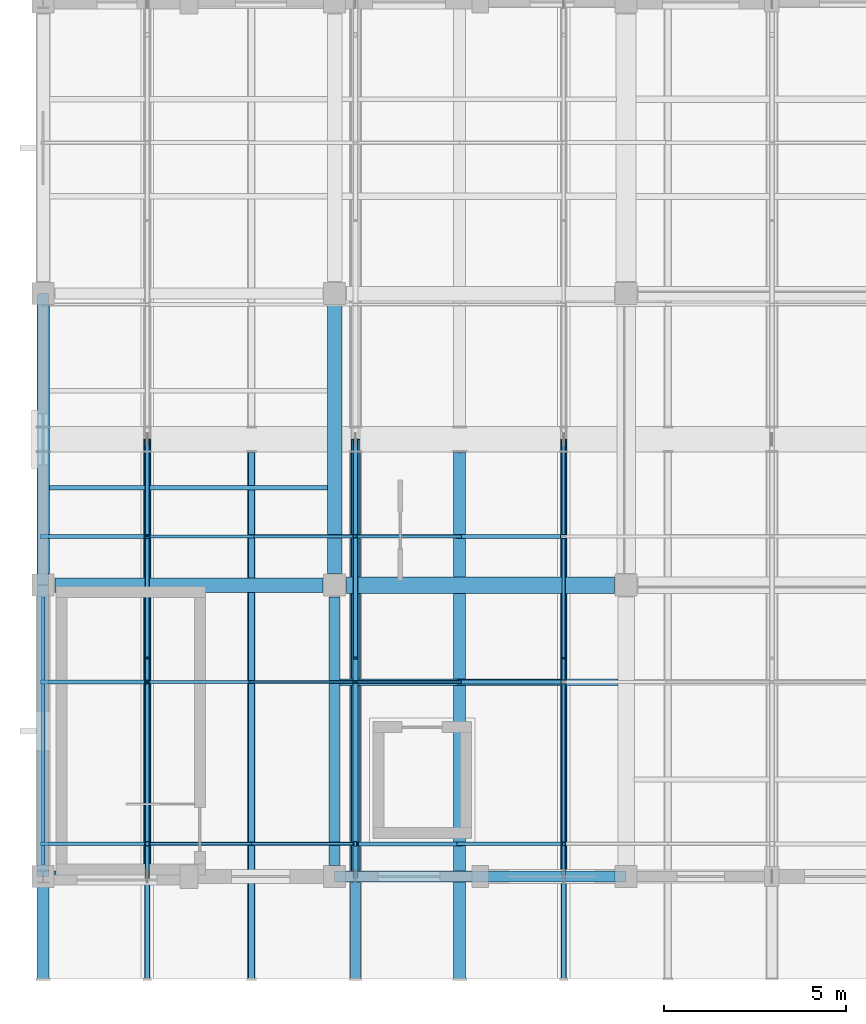
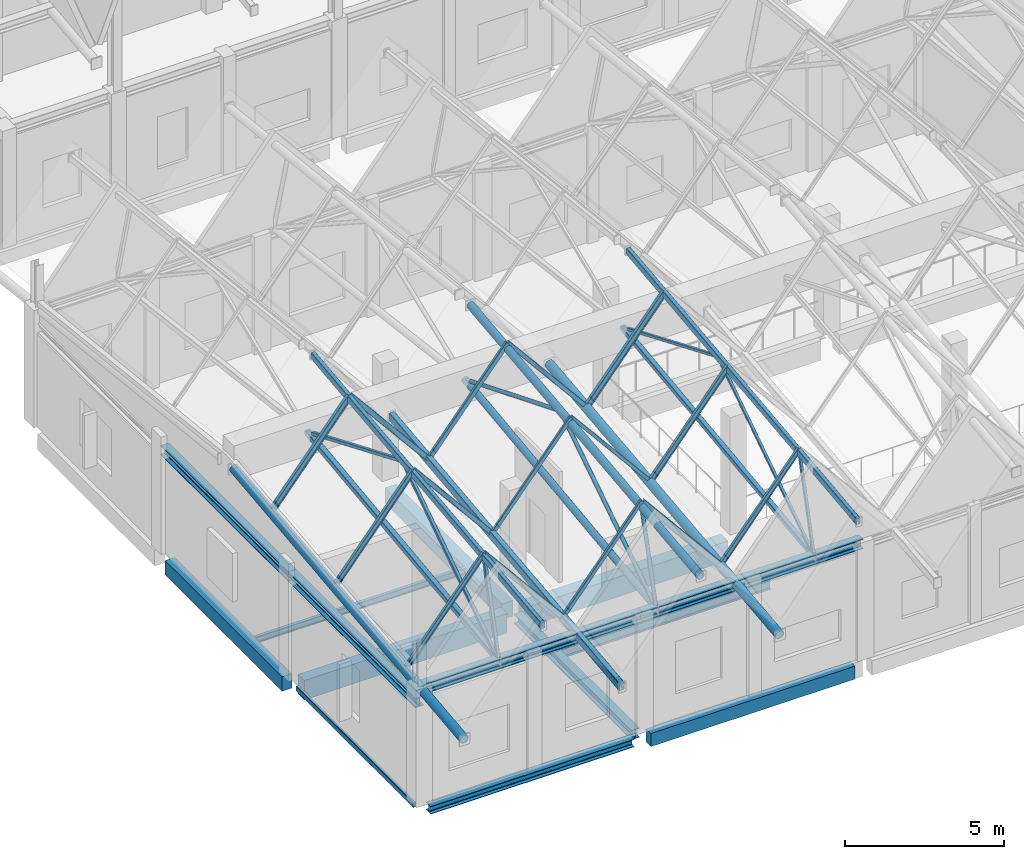
# One storey, part 9 of 77: 27 members, 20 beams.
"""IFC4 building model written with IfcOpenShell, lengths in metres."""

from ifc_helpers import new_model, si_unit, direction, frame, origin, origin_2d, place, context, subcontext, project, spatial, rectangle, hollow_rectangle, hollow_circle, i_section, extrude, material, material_profile, profile_set, type_object, element, save


model = new_model("IFC4")

# Units and contexts
model_context = context("Model", 3, precision=1e-05, world=origin(), true_north=direction((0.0, 1.0)))
body_context = subcontext(model_context, "Body", "Model", "MODEL_VIEW")
ifc_project = project(units=[si_unit("LENGTHUNIT", "METRE"), si_unit("AREAUNIT", "SQUARE_METRE"), si_unit("VOLUMEUNIT", "CUBIC_METRE"), si_unit("PLANEANGLEUNIT", "RADIAN"), si_unit("MASSUNIT", "GRAM", prefix="KILO")], contexts=[model_context])

# Site, building, storey
site_placement = place(None, origin())
site = spatial("IfcSite", under=ifc_project, at=site_placement, CompositionType="ELEMENT")
building_placement = place(site_placement, origin())
building = spatial("IfcBuilding", under=site, at=building_placement, Name="Luwemba Playhouse", CompositionType="ELEMENT")
storey_placement = place(building_placement, frame((0.0, 0.0, 9.300048828125)))
storey = spatial("IfcBuildingStorey", under=building, at=storey_placement, Name="L02", CompositionType="ELEMENT", Elevation=9.300048828125)

# Beams
ifc_material_1 = material(Name="Concrete C40/50", Category="concrete")
ifc_material_profile_1 = material_profile(ifc_material_1, rectangle(XDim=0.39990234375, YDim=0.60009765625, at=origin_2d()))
ifc_profile_set_1 = profile_set([ifc_material_profile_1], Name="Concrete C40/50")
beam_type_1 = type_object("IfcBeamType", Name="BM-RB01", PredefinedType="BEAM", material=ifc_profile_set_1)
beam_1_placement = place(storey_placement, frame((12.0, 11.324951171875, -0.550048828125), z_axis=(0.0, 1.0, 0.0), x_axis=(-1.0, 0.0, 0.0)))
element("IfcBeam", 1, at=beam_1_placement, inside=storey, type_object=beam_type_1, Name="L02 transverse girder 0783", PredefinedType="BEAM", context=body_context, shape_type="SweptSolid", body=[
    extrude(rectangle(XDim=0.39990234375, YDim=0.60009765625, at=origin_2d()), origin(), (0.0, 0.0, 1.0), 7.35009765625),
])
ifc_material_profile_2 = material_profile(ifc_material_1, rectangle(XDim=0.39990234375, YDim=0.75, at=origin_2d()))
ifc_profile_set_2 = profile_set([ifc_material_profile_2], Name="Concrete C40/50")
beam_type_2 = type_object("IfcBeamType", Name="BM-RB03", PredefinedType="BEAM", material=ifc_profile_set_2)
beam_2_placement = place(storey_placement, frame((4.324951171875, 11.0, -0.625), z_axis=(1.0, 0.0, 0.0), x_axis=(0.0, 1.0, 0.0)))
element("IfcBeam", 2, at=beam_2_placement, inside=storey, type_object=beam_type_2, Name="L02 grid girder 0764", PredefinedType="BEAM", context=body_context, shape_type="SweptSolid", body=[
    extrude(rectangle(XDim=0.39990234375, YDim=0.75, at=origin_2d()), origin(), (0.0, 0.0, 1.0), 7.35009765625),
])
ifc_material_profile_3 = material_profile(ifc_material_1, rectangle(XDim=0.449951171875, YDim=0.75, at=origin_2d()))
ifc_profile_set_3 = profile_set([ifc_material_profile_3], Name="Concrete C40/50")
beam_type_3 = type_object("IfcBeamType", Name="BM-RB04", PredefinedType="BEAM", material=ifc_profile_set_3)
beam_3_placement = place(storey_placement, frame((12.324951171875, 11.0, -0.625), z_axis=(1.0, 0.0, 0.0), x_axis=(0.0, 1.0, 0.0)))
element("IfcBeam", 3, at=beam_3_placement, inside=storey, type_object=beam_type_3, Name="L02 grid girder 0765", PredefinedType="BEAM", context=body_context, shape_type="SweptSolid", body=[
    extrude(rectangle(XDim=0.449951171875, YDim=0.75, at=origin_2d()), origin(), (0.0, 0.0, 1.0), 7.35009765625),
])
ifc_material_2 = material(Name="Steel S355", Category="steel")
ifc_material_profile_4 = material_profile(ifc_material_2, hollow_rectangle(XDim=0.14990234375, YDim=0.25, WallThickness=0.010009765625, InnerFilletRadius=0.014892578125, OuterFilletRadius=0.02490234375, at=origin_2d()))
ifc_profile_set_4 = profile_set([ifc_material_profile_4], Name="Steel S355")
beam_type_4 = type_object("IfcBeamType", Name="BM-RTG1", PredefinedType="USERDEFINED", material=ifc_profile_set_4)
for number, where, z_axis, x_axis, name in (
    (4, (6.857177734375, 0.199951171875, 7.391357421875), (0.0, 0.993767706686, 0.111470826443), (-1.0, 0.0, 0.0), "ROOF TRUSS ridge girder 0263"),
    (5, (18.28564453125, 0.199951171875, 7.391357421875), (0.0, 0.993767706686, 0.111470826443), (-1.0, 0.0, 0.0), "ROOF TRUSS ridge girder 0271"),
):
    element("IfcBeam", number, at=place(storey_placement, frame(where, z_axis=z_axis, x_axis=x_axis)), inside=storey, type_object=beam_type_4, Name=name, ObjectType="ROOF TRUSS", PredefinedType="USERDEFINED", context=body_context, shape_type="SweptSolid", body=[
        extrude(hollow_rectangle(XDim=0.14990234375, YDim=0.25, WallThickness=0.010009765625, InnerFilletRadius=0.014892578125, OuterFilletRadius=0.02490234375, at=origin_2d()), origin(), (0.0, 0.0, 1.0), 14.54052734375),
    ])
ifc_material_profile_5 = material_profile(ifc_material_2, hollow_rectangle(XDim=0.199951171875, YDim=0.300048828125, WallThickness=0.012451171875, InnerFilletRadius=0.018798828125, OuterFilletRadius=0.03125, at=origin_2d()))
ifc_profile_set_5 = profile_set([ifc_material_profile_5], Name="Steel S355")
beam_type_5 = type_object("IfcBeamType", Name="BM-RTG2", PredefinedType="USERDEFINED", material=ifc_profile_set_5)
beam_4_placement = place(storey_placement, frame((9.71435546875, 0.199951171875, 4.061279296875), z_axis=(0.0, 0.993767706686, 0.111470826443), x_axis=(-1.0, 0.0, 0.0)))
element("IfcBeam", 6, at=beam_4_placement, inside=storey, type_object=beam_type_5, Name="ROOF TRUSS valley girder 0265", ObjectType="ROOF TRUSS", PredefinedType="USERDEFINED", context=body_context, shape_type="SweptSolid", body=[
    extrude(hollow_rectangle(XDim=0.199951171875, YDim=0.300048828125, WallThickness=0.012451171875, InnerFilletRadius=0.018798828125, OuterFilletRadius=0.03125, at=origin_2d()), origin(), (0.0, 0.0, 1.0), 14.54052734375),
])
ifc_material_profile_6 = material_profile(ifc_material_2, hollow_circle(Radius=0.136474609375, WallThickness=0.012451171875, at=origin_2d()))
ifc_profile_set_6 = profile_set([ifc_material_profile_6], Name="Steel S355")
beam_type_6 = type_object("IfcBeamType", Name="BM-RTG3", PredefinedType="USERDEFINED", material=ifc_profile_set_6)
beam_5_placement = place(storey_placement, frame((12.5712890625, 0.199951171875, 7.305419921875), z_axis=(0.0, 0.993767706686, 0.111470826443), x_axis=(-1.0, 0.0, 0.0)))
element("IfcBeam", 7, at=beam_5_placement, inside=storey, type_object=beam_type_6, Name="ROOF TRUSS ridge girder 0267", ObjectType="ROOF TRUSS", PredefinedType="USERDEFINED", context=body_context, shape_type="SweptSolid", body=[
    extrude(hollow_circle(Radius=0.136474609375, WallThickness=0.012451171875, at=origin_2d()), origin(), (0.0, 0.0, 1.0), 14.54052734375),
])
ifc_material_profile_7 = material_profile(ifc_material_2, hollow_circle(Radius=0.161865234375, WallThickness=0.01611328125, at=origin_2d()))
ifc_profile_set_7 = profile_set([ifc_material_profile_7], Name="Steel S355")
beam_type_7 = type_object("IfcBeamType", Name="BM-RTG4", PredefinedType="USERDEFINED", material=ifc_profile_set_7)
for number, where, z_axis, x_axis, name in (
    (8, (4.0, 0.199951171875, 4.04931640625), (0.0, 0.993767706686, 0.111470826443), (-1.0, 0.0, 0.0), "ROOF TRUSS valley girder 0261"),
    (9, (15.4287109375, 0.199951171875, 4.049560546875), (0.0, 0.993769566516, 0.111454244725), (-1.0, 0.0, 0.0), "ROOF TRUSS valley girder 0269"),
):
    element("IfcBeam", number, at=place(storey_placement, frame(where, z_axis=z_axis, x_axis=x_axis)), inside=storey, type_object=beam_type_7, Name=name, ObjectType="ROOF TRUSS", PredefinedType="USERDEFINED", context=body_context, shape_type="SweptSolid", body=[
        extrude(hollow_circle(Radius=0.161865234375, WallThickness=0.01611328125, at=origin_2d()), origin(), (0.0, 0.0, 1.0), 14.54052734375),
    ])
ifc_material_profile_8 = material_profile(ifc_material_2, i_section(OverallWidth=0.300048828125, OverallDepth=0.360107421875, WebThickness=0.012451171875, FlangeThickness=0.0224609375, FilletRadius=0.027099609375, at=origin_2d()))
ifc_profile_set_8 = profile_set([ifc_material_profile_8], Name="Steel S355")
beam_type_8 = type_object("IfcBeamType", Name="BM-SB09", PredefinedType="BEAM", material=ifc_profile_set_8)
beam_6_placement = place(storey_placement, frame((12.0, 3.300048828125, -0.429931640625), z_axis=(0.0, 1.0, 0.0), x_axis=(-1.0, 0.0, 0.0)))
element("IfcBeam", 10, at=beam_6_placement, inside=storey, type_object=beam_type_8, Name="L02 transverse girder 0782", PredefinedType="BEAM", context=body_context, shape_type="SweptSolid", body=[
    extrude(i_section(OverallWidth=0.300048828125, OverallDepth=0.360107421875, WebThickness=0.012451171875, FlangeThickness=0.0224609375, FilletRadius=0.027099609375, at=origin_2d()), origin(), (0.0, 0.0, 1.0), 7.375),
])
for number, where, z_axis, x_axis, name in (
    (11, (4.0, 3.0, 4.320068359375), (1.0, 0.0, 0.0), (0.0, 1.0, 0.0), "RF-V5W eave ring beam 0242"),
    (12, (12.0, 3.0, 4.320068359375), (1.0, 0.0, 0.0), (0.0, 1.0, 0.0), "RF-V5W eave ring beam 0243"),
    (13, (4.0, 3.0, 3.780029296875), (0.0, 1.0, 0.0), (-1.0, 0.0, 0.0), "RF-V5W gable ring beam 0252"),
    (14, (4.0, 11.0, 3.780029296875), (0.0, 1.0, 0.0), (-1.0, 0.0, 0.0), "RF-V5W gable ring beam 0253"),
):
    element("IfcBeam", number, at=place(storey_placement, frame(where, z_axis=z_axis, x_axis=x_axis)), inside=storey, type_object=beam_type_8, Name=name, PredefinedType="BEAM", context=body_context, shape_type="SweptSolid", body=[
        extrude(i_section(OverallWidth=0.300048828125, OverallDepth=0.360107421875, WebThickness=0.012451171875, FlangeThickness=0.0224609375, FilletRadius=0.027099609375, at=origin_2d()), origin(), (0.0, 0.0, 1.0), 8.0),
    ])
ifc_material_profile_9 = material_profile(ifc_material_2, i_section(OverallWidth=0.1201171875, OverallDepth=0.239990234375, WebThickness=0.006103515625, FlangeThickness=0.009765625, FilletRadius=0.014892578125, at=origin_2d()))
ifc_profile_set_9 = profile_set([ifc_material_profile_9], Name="Steel S355")
beam_type_9 = type_object("IfcBeamType", Name="BM-SJ03", PredefinedType="JOIST", material=ifc_profile_set_9)
beam_7_placement = place(storey_placement, frame((4.1708984375, 13.666748046875, -0.3701171875), z_axis=(1.0, 0.0, 0.0), x_axis=(0.0, 1.0, 0.0)))
element("IfcBeam", 15, at=beam_7_placement, inside=storey, type_object=beam_type_9, Name="L02 composite floor joist 0447", PredefinedType="JOIST", context=body_context, shape_type="SweptSolid", body=[
    extrude(i_section(OverallWidth=0.1201171875, OverallDepth=0.239990234375, WebThickness=0.006103515625, FlangeThickness=0.009765625, FilletRadius=0.014892578125, at=origin_2d()), origin(), (0.0, 0.0, 1.0), 7.633056640625),
])
ifc_material_profile_10 = material_profile(ifc_material_2, i_section(OverallWidth=0.169921875, OverallDepth=0.360107421875, WebThickness=0.008056640625, FlangeThickness=0.0126953125, FilletRadius=0.01806640625, at=origin_2d()))
ifc_profile_set_10 = profile_set([ifc_material_profile_10], Name="Steel S355")
beam_type_10 = type_object("IfcBeamType", Name="BM-SJ07", PredefinedType="JOIST", material=ifc_profile_set_10)
beam_8_placement = place(storey_placement, frame((12.14599609375, 8.333251953125, -0.429931640625), z_axis=(1.0, 0.0, 0.0), x_axis=(0.0, 1.0, 0.0)))
element("IfcBeam", 16, at=beam_8_placement, inside=storey, type_object=beam_type_10, Name="L02 composite floor joist 0451", PredefinedType="JOIST", context=body_context, shape_type="SweptSolid", body=[
    extrude(i_section(OverallWidth=0.169921875, OverallDepth=0.360107421875, WebThickness=0.008056640625, FlangeThickness=0.0126953125, FilletRadius=0.01806640625, at=origin_2d()), origin(), (0.0, 0.0, 1.0), 7.633056640625),
])
ifc_material_profile_11 = material_profile(ifc_material_1, rectangle(XDim=0.300048828125, YDim=0.5, at=origin_2d()))
ifc_profile_set_11 = profile_set([ifc_material_profile_11], Name="Concrete C40/50")
beam_type_11 = type_object("IfcBeamType", Name="BM-SP1", PredefinedType="SPANDREL", material=ifc_profile_set_11)
beam_9_placement = place(storey_placement, frame((12.300048828125, 3.0, -0.5), z_axis=(1.0, 0.0, 0.0), x_axis=(0.0, 1.0, 0.0)))
element("IfcBeam", 17, at=beam_9_placement, inside=storey, type_object=beam_type_11, Name="L02 grid girder 0760", PredefinedType="SPANDREL", context=body_context, shape_type="SweptSolid", body=[
    extrude(rectangle(XDim=0.300048828125, YDim=0.5, at=origin_2d()), origin(), (0.0, 0.0, 1.0), 7.39990234375),
])
ifc_material_profile_12 = material_profile(ifc_material_1, rectangle(XDim=0.35009765625, YDim=0.550048828125, at=origin_2d()))
ifc_profile_set_12 = profile_set([ifc_material_profile_12], Name="Concrete C40/50")
beam_type_12 = type_object("IfcBeamType", Name="BM-SP2", PredefinedType="SPANDREL", material=ifc_profile_set_12)
beam_10_placement = place(storey_placement, frame((4.0, 11.324951171875, -0.525146484375), z_axis=(0.0, 1.0, 0.0), x_axis=(-1.0, 0.0, 0.0)))
element("IfcBeam", 18, at=beam_10_placement, inside=storey, type_object=beam_type_12, Name="L02 transverse girder 0780", PredefinedType="SPANDREL", context=body_context, shape_type="SweptSolid", body=[
    extrude(rectangle(XDim=0.35009765625, YDim=0.550048828125, at=origin_2d()), origin(), (0.0, 0.0, 1.0), 7.35009765625),
])
ifc_material_profile_13 = material_profile(ifc_material_2, i_section(OverallWidth=0.300048828125, OverallDepth=0.300048828125, WebThickness=0.010986328125, FlangeThickness=0.01904296875, FilletRadius=0.027099609375, at=origin_2d()))
ifc_profile_set_13 = profile_set([ifc_material_profile_13], Name="Steel S355")
beam_type_13 = type_object("IfcBeamType", Name="BM-SSP1", PredefinedType="SPANDREL", material=ifc_profile_set_13)
beam_11_placement = place(storey_placement, frame((4.324951171875, 3.0, -0.400146484375), z_axis=(1.0, 0.0, 0.0), x_axis=(0.0, 1.0, 0.0)))
element("IfcBeam", 19, at=beam_11_placement, inside=storey, type_object=beam_type_13, Name="L02 grid girder 0759", PredefinedType="SPANDREL", context=body_context, shape_type="SweptSolid", body=[
    extrude(i_section(OverallWidth=0.300048828125, OverallDepth=0.300048828125, WebThickness=0.010986328125, FlangeThickness=0.01904296875, FilletRadius=0.027099609375, at=origin_2d()), origin(), (0.0, 0.0, 1.0), 7.375),
])
ifc_material_profile_14 = material_profile(ifc_material_2, hollow_rectangle(XDim=0.10009765625, YDim=0.199951171875, WallThickness=0.008056640625, InnerFilletRadius=0.011962890625, OuterFilletRadius=0.02001953125, at=origin_2d()))
ifc_profile_set_14 = profile_set([ifc_material_profile_14], Name="Steel S355")
beam_type_14 = type_object("IfcBeamType", Name="BM-SSP2", PredefinedType="SPANDREL", material=ifc_profile_set_14)
beam_12_placement = place(storey_placement, frame((4.0, 3.324951171875, -0.35009765625), z_axis=(0.0, 1.0, 0.0), x_axis=(-1.0, 0.0, 0.0)))
element("IfcBeam", 20, at=beam_12_placement, inside=storey, type_object=beam_type_14, Name="L02 transverse girder 0779", PredefinedType="SPANDREL", context=body_context, shape_type="SweptSolid", body=[
    extrude(hollow_rectangle(XDim=0.10009765625, YDim=0.199951171875, WallThickness=0.008056640625, InnerFilletRadius=0.011962890625, OuterFilletRadius=0.02001953125, at=origin_2d()), origin(), (0.0, 0.0, 1.0), 7.35009765625),
])

# Members
ifc_material_profile_15 = material_profile(ifc_material_2, hollow_circle(Radius=0.06982421875, WallThickness=0.008056640625, at=origin_2d()))
ifc_profile_set_15 = profile_set([ifc_material_profile_15], Name="Steel S355")
member_type_1 = type_object("IfcMemberType", Name="MEM-MB01", PredefinedType="BRACE", material=ifc_profile_set_15)
member_1_placement = place(storey_placement, frame((12.5712890625, 3.0, 4.39990234375), z_axis=(0.0, 0.838917478368, 0.544258637496), x_axis=(-1.0, 0.0, 0.0)))
element("IfcMember", 21, at=member_1_placement, inside=storey, type_object=member_type_1, Name="ROOF TRUSS web diagonal 0231", PredefinedType="BRACE", context=body_context, shape_type="SweptSolid", body=[
    extrude(hollow_circle(Radius=0.06982421875, WallThickness=0.008056640625, at=origin_2d()), origin(), (0.0, 0.0, 1.0), 7.152099609375),
])
member_2_placement = place(storey_placement, frame((12.5712890625, 15.0, 5.865966796875), z_axis=(0.0, -0.927057348397, 0.374919555083), x_axis=(1.0, 0.0, 0.0)))
element("IfcMember", 22, at=member_2_placement, inside=storey, type_object=member_type_1, Name="ROOF TRUSS web diagonal 0232", PredefinedType="BRACE", context=body_context, shape_type="SweptSolid", body=[
    extrude(hollow_circle(Radius=0.06982421875, WallThickness=0.008056640625, at=origin_2d()), origin(), (0.0, 0.0, 1.0), 6.47216796875),
])
member_3_placement = place(storey_placement, frame((12.5712890625, 3.0, 4.39990234375), z_axis=(0.0, 0.261573871776, 0.96518345904), x_axis=(-1.0, 0.0, 0.0)))
element("IfcMember", 23, at=member_3_placement, inside=storey, type_object=member_type_1, Name="ROOF TRUSS eave knee strut 0060", PredefinedType="BRACE", context=body_context, shape_type="SweptSolid", body=[
    extrude(hollow_circle(Radius=0.06982421875, WallThickness=0.008056640625, at=origin_2d()), origin(), (0.0, 0.0, 1.0), 3.4404296875),
])
ifc_material_profile_16 = material_profile(ifc_material_2, hollow_rectangle(XDim=0.10009765625, YDim=0.10009765625, WallThickness=0.00634765625, InnerFilletRadius=0.009521484375, OuterFilletRadius=0.015869140625, at=origin_2d()))
ifc_profile_set_16 = profile_set([ifc_material_profile_16], Name="Steel S355")
member_type_2 = type_object("IfcMemberType", Name="MEM-MB05", PredefinedType="BRACE", material=ifc_profile_set_16)
member_4_placement = place(storey_placement, frame((18.28564453125, 3.0, 4.39990234375), z_axis=(0.0, 0.833425084447, 0.552632453457), x_axis=(-1.0, 0.0, 0.0)))
element("IfcMember", 24, at=member_4_placement, inside=storey, type_object=member_type_2, Name="ROOF TRUSS web diagonal 0237", PredefinedType="BRACE", context=body_context, shape_type="SweptSolid", body=[
    extrude(hollow_rectangle(XDim=0.10009765625, YDim=0.10009765625, WallThickness=0.00634765625, InnerFilletRadius=0.009521484375, OuterFilletRadius=0.015869140625, at=origin_2d()), origin(), (0.0, 0.0, 1.0), 7.19921875),
])
member_5_placement = place(storey_placement, frame((18.28564453125, 15.0, 5.865966796875), z_axis=(0.0, -0.922395901699, 0.38624577736), x_axis=(1.0, 0.0, 0.0)))
element("IfcMember", 25, at=member_5_placement, inside=storey, type_object=member_type_2, Name="ROOF TRUSS web diagonal 0238", PredefinedType="BRACE", context=body_context, shape_type="SweptSolid", body=[
    extrude(hollow_rectangle(XDim=0.10009765625, YDim=0.10009765625, WallThickness=0.00634765625, InnerFilletRadius=0.009521484375, OuterFilletRadius=0.015869140625, at=origin_2d()), origin(), (0.0, 0.0, 1.0), 6.5048828125),
])
member_6_placement = place(storey_placement, frame((18.28564453125, 3.0, 4.39990234375), z_axis=(0.0, 0.255410676761, 0.96683265677), x_axis=(-1.0, 0.0, 0.0)))
element("IfcMember", 26, at=member_6_placement, inside=storey, type_object=member_type_2, Name="ROOF TRUSS eave knee strut 0062", PredefinedType="BRACE", context=body_context, shape_type="SweptSolid", body=[
    extrude(hollow_rectangle(XDim=0.10009765625, YDim=0.10009765625, WallThickness=0.00634765625, InnerFilletRadius=0.009521484375, OuterFilletRadius=0.015869140625, at=origin_2d()), origin(), (0.0, 0.0, 1.0), 3.5234375),
])
ifc_material_profile_17 = material_profile(ifc_material_2, hollow_rectangle(XDim=0.1201171875, YDim=0.1201171875, WallThickness=0.008056640625, InnerFilletRadius=0.011962890625, OuterFilletRadius=0.02001953125, at=origin_2d()))
ifc_profile_set_17 = profile_set([ifc_material_profile_17], Name="Steel S355")
member_type_3 = type_object("IfcMemberType", Name="MEM-MB06", PredefinedType="BRACE", material=ifc_profile_set_17)
member_7_placement = place(storey_placement, frame((6.857177734375, 3.0, 4.39990234375), z_axis=(0.0, 0.833425084447, 0.552632453457), x_axis=(-1.0, 0.0, 0.0)))
element("IfcMember", 27, at=member_7_placement, inside=storey, type_object=member_type_3, Name="ROOF TRUSS web diagonal 0225", PredefinedType="BRACE", context=body_context, shape_type="SweptSolid", body=[
    extrude(hollow_rectangle(XDim=0.1201171875, YDim=0.1201171875, WallThickness=0.008056640625, InnerFilletRadius=0.011962890625, OuterFilletRadius=0.02001953125, at=origin_2d()), origin(), (0.0, 0.0, 1.0), 7.19921875),
])
member_8_placement = place(storey_placement, frame((6.857177734375, 15.0, 5.865966796875), z_axis=(0.0, -0.922395901699, 0.38624577736), x_axis=(1.0, 0.0, 0.0)))
element("IfcMember", 28, at=member_8_placement, inside=storey, type_object=member_type_3, Name="ROOF TRUSS web diagonal 0226", PredefinedType="BRACE", context=body_context, shape_type="SweptSolid", body=[
    extrude(hollow_rectangle(XDim=0.1201171875, YDim=0.1201171875, WallThickness=0.008056640625, InnerFilletRadius=0.011962890625, OuterFilletRadius=0.02001953125, at=origin_2d()), origin(), (0.0, 0.0, 1.0), 6.5048828125),
])
member_9_placement = place(storey_placement, frame((6.857177734375, 3.0, 4.39990234375), z_axis=(0.0, 0.255410676761, 0.96683265677), x_axis=(-1.0, 0.0, 0.0)))
element("IfcMember", 29, at=member_9_placement, inside=storey, type_object=member_type_3, Name="ROOF TRUSS eave knee strut 0058", PredefinedType="BRACE", context=body_context, shape_type="SweptSolid", body=[
    extrude(hollow_rectangle(XDim=0.1201171875, YDim=0.1201171875, WallThickness=0.008056640625, InnerFilletRadius=0.011962890625, OuterFilletRadius=0.02001953125, at=origin_2d()), origin(), (0.0, 0.0, 1.0), 3.5234375),
])
ifc_material_profile_18 = material_profile(ifc_material_2, hollow_circle(Radius=0.122314453125, WallThickness=0.012451171875, at=origin_2d()))
ifc_profile_set_18 = profile_set([ifc_material_profile_18], Name="Steel S355")
member_type_4 = type_object("IfcMemberType", Name="MEM-MC01", PredefinedType="CHORD", material=ifc_profile_set_18)
member_10_placement = place(storey_placement, frame((12.5712890625, 3.0, 4.39990234375), z_axis=(0.0, 0.99261951546, 0.121270348924), x_axis=(-1.0, 0.0, 0.0)))
element("IfcMember", 30, at=member_10_placement, inside=storey, type_object=member_type_4, Name="ROOF TRUSS south bottom chord 0229", PredefinedType="CHORD", context=body_context, shape_type="SweptSolid", body=[
    extrude(hollow_circle(Radius=0.122314453125, WallThickness=0.012451171875, at=origin_2d()), origin(), (0.0, 0.0, 1.0), 12.089111328125),
])
ifc_material_profile_19 = material_profile(ifc_material_2, hollow_rectangle(XDim=0.179931640625, YDim=0.179931640625, WallThickness=0.010009765625, InnerFilletRadius=0.014892578125, OuterFilletRadius=0.02490234375, at=origin_2d()))
ifc_profile_set_19 = profile_set([ifc_material_profile_19], Name="Steel S355")
member_type_5 = type_object("IfcMemberType", Name="MEM-MC03", PredefinedType="CHORD", material=ifc_profile_set_19)
member_11_placement = place(storey_placement, frame((18.28564453125, 3.0, 4.39990234375), z_axis=(0.0, 0.99261951546, 0.121270348924), x_axis=(-1.0, 0.0, 0.0)))
element("IfcMember", 31, at=member_11_placement, inside=storey, type_object=member_type_5, Name="ROOF TRUSS south bottom chord 0235", PredefinedType="CHORD", context=body_context, shape_type="SweptSolid", body=[
    extrude(hollow_rectangle(XDim=0.179931640625, YDim=0.179931640625, WallThickness=0.010009765625, InnerFilletRadius=0.014892578125, OuterFilletRadius=0.02490234375, at=origin_2d()), origin(), (0.0, 0.0, 1.0), 12.089111328125),
])
ifc_material_profile_20 = material_profile(ifc_material_2, hollow_rectangle(XDim=0.199951171875, YDim=0.199951171875, WallThickness=0.012451171875, InnerFilletRadius=0.018798828125, OuterFilletRadius=0.03125, at=origin_2d()))
ifc_profile_set_20 = profile_set([ifc_material_profile_20], Name="Steel S355")
member_type_6 = type_object("IfcMemberType", Name="MEM-MC04", PredefinedType="CHORD", material=ifc_profile_set_20)
member_12_placement = place(storey_placement, frame((6.857177734375, 3.0, 4.39990234375), z_axis=(0.0, 0.99261951546, 0.121270348924), x_axis=(-1.0, 0.0, 0.0)))
element("IfcMember", 32, at=member_12_placement, inside=storey, type_object=member_type_6, Name="ROOF TRUSS south bottom chord 0223", PredefinedType="CHORD", context=body_context, shape_type="SweptSolid", body=[
    extrude(hollow_rectangle(XDim=0.199951171875, YDim=0.199951171875, WallThickness=0.012451171875, InnerFilletRadius=0.018798828125, OuterFilletRadius=0.03125, at=origin_2d()), origin(), (0.0, 0.0, 1.0), 12.089111328125),
])
ifc_material_profile_21 = material_profile(ifc_material_2, hollow_rectangle(XDim=0.080078125, YDim=0.1201171875, WallThickness=0.00634765625, InnerFilletRadius=0.009521484375, OuterFilletRadius=0.015869140625, at=origin_2d()))
ifc_profile_set_21 = profile_set([ifc_material_profile_21], Name="Steel S355")
member_type_7 = type_object("IfcMemberType", Name="MEM-MP01", PredefinedType="PURLIN", material=ifc_profile_set_21)
member_13_placement = place(storey_placement, frame((12.5712890625, 8.340087890625, 8.47509765625), z_axis=(0.637416116848, 0.0, -0.770519755738), x_axis=(0.0, 1.0, 0.0)))
element("IfcMember", 33, at=member_13_placement, inside=storey, type_object=member_type_7, Name="Pleated roof purlin 0464", PredefinedType="PURLIN", context=body_context, shape_type="SweptSolid", body=[
    extrude(hollow_rectangle(XDim=0.080078125, YDim=0.1201171875, WallThickness=0.00634765625, InnerFilletRadius=0.009521484375, OuterFilletRadius=0.015869140625, at=origin_2d()), origin(), (0.0, 0.0, 1.0), 4.48291015625),
])
ifc_material_profile_22 = material_profile(ifc_material_2, hollow_rectangle(XDim=0.10009765625, YDim=0.14990234375, WallThickness=0.008056640625, InnerFilletRadius=0.011962890625, OuterFilletRadius=0.02001953125, at=origin_2d()))
ifc_profile_set_22 = profile_set([ifc_material_profile_22], Name="Steel S355")
member_type_8 = type_object("IfcMemberType", Name="MEM-MP02", PredefinedType="PURLIN", material=ifc_profile_set_22)
member_14_placement = place(storey_placement, frame((9.71435546875, 3.89990234375, 4.495849609375), z_axis=(0.637351442582, 0.0, 0.77057325326), x_axis=(0.0, 1.0, 0.0)))
element("IfcMember", 34, at=member_14_placement, inside=storey, type_object=member_type_8, Name="Pleated roof purlin 0457", PredefinedType="PURLIN", context=body_context, shape_type="SweptSolid", body=[
    extrude(hollow_rectangle(XDim=0.10009765625, YDim=0.14990234375, WallThickness=0.008056640625, InnerFilletRadius=0.011962890625, OuterFilletRadius=0.02001953125, at=origin_2d()), origin(), (0.0, 0.0, 1.0), 4.482421875),
])
member_15_placement = place(storey_placement, frame((12.5712890625, 12.3359375, 8.896240234375), z_axis=(0.637416116848, 0.0, -0.770519755738), x_axis=(0.0, 1.0, 0.0)))
element("IfcMember", 35, at=member_15_placement, inside=storey, type_object=member_type_8, Name="Pleated roof purlin 0465", PredefinedType="PURLIN", context=body_context, shape_type="SweptSolid", body=[
    extrude(hollow_rectangle(XDim=0.10009765625, YDim=0.14990234375, WallThickness=0.008056640625, InnerFilletRadius=0.011962890625, OuterFilletRadius=0.02001953125, at=origin_2d()), origin(), (0.0, 0.0, 1.0), 4.48291015625),
])
ifc_material_profile_23 = material_profile(ifc_material_2, hollow_rectangle(XDim=0.080078125, YDim=0.159912109375, WallThickness=0.00634765625, InnerFilletRadius=0.009521484375, OuterFilletRadius=0.015869140625, at=origin_2d()))
ifc_profile_set_23 = profile_set([ifc_material_profile_23], Name="Steel S355")
member_type_9 = type_object("IfcMemberType", Name="MEM-MP03", PredefinedType="PURLIN", material=ifc_profile_set_23)
member_16_placement = place(storey_placement, frame((9.71435546875, 8.340087890625, 5.0009765625), z_axis=(0.637378192581, 0.0, 0.770551127196), x_axis=(0.0, 1.0, 0.0)))
element("IfcMember", 36, at=member_16_placement, inside=storey, type_object=member_type_9, Name="Pleated roof purlin 0458", PredefinedType="PURLIN", context=body_context, shape_type="SweptSolid", body=[
    extrude(hollow_rectangle(XDim=0.080078125, YDim=0.159912109375, WallThickness=0.00634765625, InnerFilletRadius=0.009521484375, OuterFilletRadius=0.015869140625, at=origin_2d()), origin(), (0.0, 0.0, 1.0), 4.482421875),
])
ifc_material_profile_24 = material_profile(ifc_material_2, hollow_rectangle(XDim=0.10009765625, YDim=0.179931640625, WallThickness=0.008056640625, InnerFilletRadius=0.011962890625, OuterFilletRadius=0.02001953125, at=origin_2d()))
ifc_profile_set_24 = profile_set([ifc_material_profile_24], Name="Steel S355")
member_type_10 = type_object("IfcMemberType", Name="MEM-MP04", PredefinedType="PURLIN", material=ifc_profile_set_24)
member_17_placement = place(storey_placement, frame((6.857177734375, 3.89990234375, 7.93505859375), z_axis=(0.637383781398, 0.0, -0.770546504249), x_axis=(0.0, 1.0, 0.0)))
element("IfcMember", 37, at=member_17_placement, inside=storey, type_object=member_type_10, Name="Pleated roof purlin 0451", PredefinedType="PURLIN", context=body_context, shape_type="SweptSolid", body=[
    extrude(hollow_rectangle(XDim=0.10009765625, YDim=0.179931640625, WallThickness=0.008056640625, InnerFilletRadius=0.011962890625, OuterFilletRadius=0.02001953125, at=origin_2d()), origin(), (0.0, 0.0, 1.0), 4.482666015625),
])
member_18_placement = place(storey_placement, frame((9.71435546875, 12.3359375, 5.42724609375), z_axis=(0.637378192581, 0.0, 0.770551127196), x_axis=(0.0, 1.0, 0.0)))
element("IfcMember", 38, at=member_18_placement, inside=storey, type_object=member_type_10, Name="Pleated roof purlin 0459", PredefinedType="PURLIN", context=body_context, shape_type="SweptSolid", body=[
    extrude(hollow_rectangle(XDim=0.10009765625, YDim=0.179931640625, WallThickness=0.008056640625, InnerFilletRadius=0.011962890625, OuterFilletRadius=0.02001953125, at=origin_2d()), origin(), (0.0, 0.0, 1.0), 4.482421875),
])
ifc_material_profile_25 = material_profile(ifc_material_2, i_section(OverallWidth=0.08203125, OverallDepth=0.159912109375, WebThickness=0.0048828125, FlangeThickness=0.00732421875, FilletRadius=0.009033203125, at=origin_2d()))
ifc_profile_set_25 = profile_set([ifc_material_profile_25], Name="Steel S355")
member_type_11 = type_object("IfcMemberType", Name="MEM-MP05", PredefinedType="PURLIN", material=ifc_profile_set_25)
member_19_placement = place(storey_placement, frame((6.857177734375, 8.340087890625, 8.453857421875), z_axis=(0.637383781398, 0.0, -0.770546504249), x_axis=(0.0, 1.0, 0.0)))
element("IfcMember", 39, at=member_19_placement, inside=storey, type_object=member_type_11, Name="Pleated roof purlin 0452", PredefinedType="PURLIN", context=body_context, shape_type="SweptSolid", body=[
    extrude(i_section(OverallWidth=0.08203125, OverallDepth=0.159912109375, WebThickness=0.0048828125, FlangeThickness=0.00732421875, FilletRadius=0.009033203125, at=origin_2d()), origin(), (0.0, 0.0, 1.0), 4.482666015625),
])
ifc_material_profile_26 = material_profile(ifc_material_2, i_section(OverallWidth=0.091064453125, OverallDepth=0.179931640625, WebThickness=0.00537109375, FlangeThickness=0.008056640625, FilletRadius=0.009033203125, at=origin_2d()))
ifc_profile_set_26 = profile_set([ifc_material_profile_26], Name="Steel S355")
member_type_12 = type_object("IfcMemberType", Name="MEM-MP06", PredefinedType="PURLIN", material=ifc_profile_set_26)
member_20_placement = place(storey_placement, frame((4.0, 3.89990234375, 4.486328125), z_axis=(0.637410530898, 0.0, 0.770524376708), x_axis=(0.0, 1.0, 0.0)))
element("IfcMember", 40, at=member_20_placement, inside=storey, type_object=member_type_12, Name="Pleated roof purlin 0445", PredefinedType="PURLIN", context=body_context, shape_type="SweptSolid", body=[
    extrude(i_section(OverallWidth=0.091064453125, OverallDepth=0.179931640625, WebThickness=0.00537109375, FlangeThickness=0.008056640625, FilletRadius=0.009033203125, at=origin_2d()), origin(), (0.0, 0.0, 1.0), 4.482421875),
])
member_21_placement = place(storey_placement, frame((6.857177734375, 12.3359375, 8.88671875), z_axis=(0.637383781398, 0.0, -0.770546504249), x_axis=(0.0, 1.0, 0.0)))
element("IfcMember", 41, at=member_21_placement, inside=storey, type_object=member_type_12, Name="Pleated roof purlin 0453", PredefinedType="PURLIN", context=body_context, shape_type="SweptSolid", body=[
    extrude(i_section(OverallWidth=0.091064453125, OverallDepth=0.179931640625, WebThickness=0.00537109375, FlangeThickness=0.008056640625, FilletRadius=0.009033203125, at=origin_2d()), origin(), (0.0, 0.0, 1.0), 4.482666015625),
])
member_22_placement = place(storey_placement, frame((15.4287109375, 3.89990234375, 4.486328125), z_axis=(0.637378192581, 0.0, 0.770551127196), x_axis=(0.0, 1.0, 0.0)))
element("IfcMember", 42, at=member_22_placement, inside=storey, type_object=member_type_12, Name="Pleated roof purlin 0469", PredefinedType="PURLIN", context=body_context, shape_type="SweptSolid", body=[
    extrude(i_section(OverallWidth=0.091064453125, OverallDepth=0.179931640625, WebThickness=0.00537109375, FlangeThickness=0.008056640625, FilletRadius=0.009033203125, at=origin_2d()), origin(), (0.0, 0.0, 1.0), 4.482421875),
])
ifc_material_profile_27 = material_profile(ifc_material_2, i_section(OverallWidth=0.10009765625, OverallDepth=0.199951171875, WebThickness=0.005615234375, FlangeThickness=0.008544921875, FilletRadius=0.011962890625, at=origin_2d()))
ifc_profile_set_27 = profile_set([ifc_material_profile_27], Name="Steel S355")
member_type_13 = type_object("IfcMemberType", Name="MEM-MP07", PredefinedType="PURLIN", material=ifc_profile_set_27)
member_23_placement = place(storey_placement, frame((4.0, 8.340087890625, 4.96875), z_axis=(0.637383781398, 0.0, 0.770546504249), x_axis=(0.0, 1.0, 0.0)))
element("IfcMember", 43, at=member_23_placement, inside=storey, type_object=member_type_13, Name="Pleated roof purlin 0446", PredefinedType="PURLIN", context=body_context, shape_type="SweptSolid", body=[
    extrude(i_section(OverallWidth=0.10009765625, OverallDepth=0.199951171875, WebThickness=0.005615234375, FlangeThickness=0.008544921875, FilletRadius=0.011962890625, at=origin_2d()), origin(), (0.0, 0.0, 1.0), 4.482666015625),
])
member_24_placement = place(storey_placement, frame((15.4287109375, 8.340087890625, 4.968994140625), z_axis=(0.637378192581, 0.0, 0.770551127196), x_axis=(0.0, 1.0, 0.0)))
element("IfcMember", 44, at=member_24_placement, inside=storey, type_object=member_type_13, Name="Pleated roof purlin 0470", PredefinedType="PURLIN", context=body_context, shape_type="SweptSolid", body=[
    extrude(i_section(OverallWidth=0.10009765625, OverallDepth=0.199951171875, WebThickness=0.005615234375, FlangeThickness=0.008544921875, FilletRadius=0.011962890625, at=origin_2d()), origin(), (0.0, 0.0, 1.0), 4.482421875),
])
ifc_material_profile_28 = material_profile(ifc_material_2, i_section(OverallWidth=0.110107421875, OverallDepth=0.219970703125, WebThickness=0.005859375, FlangeThickness=0.00927734375, FilletRadius=0.011962890625, at=origin_2d()))
ifc_profile_set_28 = profile_set([ifc_material_profile_28], Name="Steel S355")
member_type_14 = type_object("IfcMemberType", Name="MEM-MP08", PredefinedType="PURLIN", material=ifc_profile_set_28)
member_25_placement = place(storey_placement, frame((4.0, 12.3359375, 5.401123046875), z_axis=(0.637410530898, 0.0, 0.770524376708), x_axis=(0.0, 1.0, 0.0)))
element("IfcMember", 45, at=member_25_placement, inside=storey, type_object=member_type_14, Name="Pleated roof purlin 0447", PredefinedType="PURLIN", context=body_context, shape_type="SweptSolid", body=[
    extrude(i_section(OverallWidth=0.110107421875, OverallDepth=0.219970703125, WebThickness=0.005859375, FlangeThickness=0.00927734375, FilletRadius=0.011962890625, at=origin_2d()), origin(), (0.0, 0.0, 1.0), 4.482421875),
])
member_26_placement = place(storey_placement, frame((12.5712890625, 3.89990234375, 7.908935546875), z_axis=(0.637416116848, 0.0, -0.770519755738), x_axis=(0.0, 1.0, 0.0)))
element("IfcMember", 46, at=member_26_placement, inside=storey, type_object=member_type_14, Name="Pleated roof purlin 0463", PredefinedType="PURLIN", context=body_context, shape_type="SweptSolid", body=[
    extrude(i_section(OverallWidth=0.110107421875, OverallDepth=0.219970703125, WebThickness=0.005859375, FlangeThickness=0.00927734375, FilletRadius=0.011962890625, at=origin_2d()), origin(), (0.0, 0.0, 1.0), 4.48291015625),
])
member_27_placement = place(storey_placement, frame((15.4287109375, 12.3359375, 5.401123046875), z_axis=(0.637378192581, 0.0, 0.770551127196), x_axis=(0.0, 1.0, 0.0)))
element("IfcMember", 47, at=member_27_placement, inside=storey, type_object=member_type_14, Name="Pleated roof purlin 0471", PredefinedType="PURLIN", context=body_context, shape_type="SweptSolid", body=[
    extrude(i_section(OverallWidth=0.110107421875, OverallDepth=0.219970703125, WebThickness=0.005859375, FlangeThickness=0.00927734375, FilletRadius=0.011962890625, at=origin_2d()), origin(), (0.0, 0.0, 1.0), 4.482421875),
])

save(model, "model.ifc")
